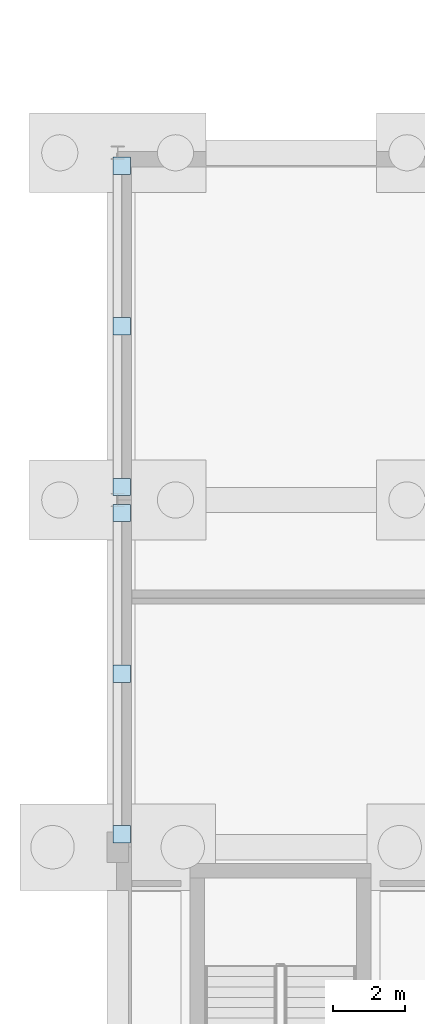
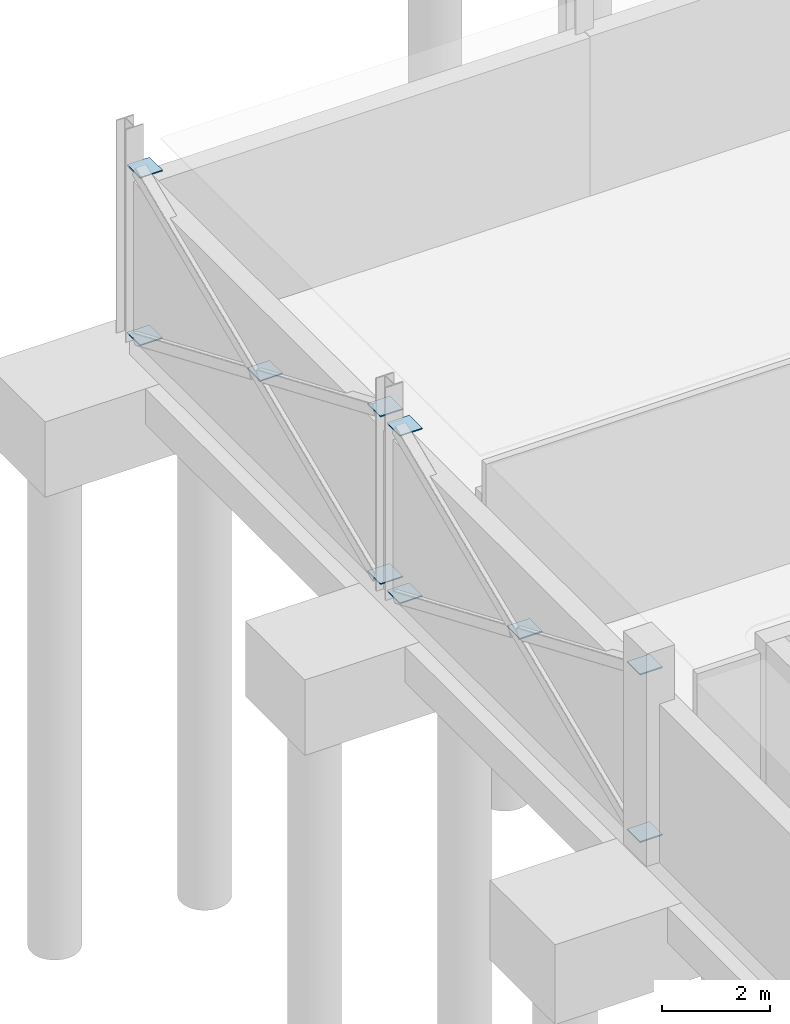
# One storey, part 24 of 67: 10 plates.
"""IFC4 building model written with IfcOpenShell, lengths in metres."""

from ifc_helpers import new_model, si_unit, direction, frame, origin, origin_2d, place, context, subcontext, project, spatial, rectangle, extrude, material, layer, layer_set, type_object, element, save


model = new_model("IFC4")

# Units and contexts
model_context = context("Model", 3, precision=1e-05, world=origin(), true_north=direction((0.0, 1.0)))
body_context = subcontext(model_context, "Body", "Model", "MODEL_VIEW")
ifc_project = project(units=[si_unit("LENGTHUNIT", "METRE"), si_unit("AREAUNIT", "SQUARE_METRE"), si_unit("VOLUMEUNIT", "CUBIC_METRE"), si_unit("PLANEANGLEUNIT", "RADIAN"), si_unit("MASSUNIT", "GRAM", prefix="KILO")], contexts=[model_context])

# Site, building, storey
site_placement = place(None, origin())
site = spatial("IfcSite", under=ifc_project, at=site_placement, CompositionType="ELEMENT")
building_placement = place(site_placement, origin())
building = spatial("IfcBuilding", under=site, at=building_placement, Name="Caelomonte Colonnade Arena", CompositionType="ELEMENT")
storey_placement = place(building_placement, frame((0.0, 0.0, -4.800048828125)))
storey = spatial("IfcBuildingStorey", under=building, at=storey_placement, Name="B1", CompositionType="ELEMENT", Elevation=-4.800048828125)

# Plates
ifc_material = material(Name="Steel ASTM A572 Grade 50", Category="steel")
ifc_layer = layer(ifc_material, 0.02490234375)
ifc_layer_set = layer_set([ifc_layer], Name="Steel ASTM A572 Grade 50")
plate_type = type_object("IfcPlateType", Name="STR-PL-PN01", PredefinedType="USERDEFINED", material=ifc_layer_set)
for number, where, z_axis, x_axis, name in (
    (1, (0.114990234375, 72.0, 2.03759765625), (0.0, 0.0, 1.0), (1.0, 0.0, 0.0), "Braced frame BF1 B1 gusset plate X"),
    (2, (0.114990234375, 67.56005859375, 0.147705078125), (0.0, 0.0, 1.0), (1.0, 0.0, 0.0), "Braced frame BF1 B1 gusset plate BL"),
    (3, (0.114990234375, 76.43994140625, 0.147705078125), (0.0, 0.0, 1.0), (1.0, 0.0, 0.0), "Braced frame BF1 B1 gusset plate BR"),
    (4, (0.114990234375, 67.56005859375, 3.927490234375), (0.0, 0.0, 1.0), (1.0, 0.0, 0.0), "Braced frame BF1 B1 gusset plate TL"),
    (5, (0.114990234375, 76.43994140625, 3.927490234375), (0.0, 0.0, 1.0), (1.0, 0.0, 0.0), "Braced frame BF1 B1 gusset plate TR"),
    (6, (0.114990234375, 81.60009765625, 2.03759765625), (0.0, 0.0, 1.0), (1.0, 0.0, 0.0), "Braced frame BF2 B1 gusset plate X"),
    (7, (0.114990234375, 77.159912109375, 0.147705078125), (0.0, 0.0, 1.0), (1.0, 0.0, 0.0), "Braced frame BF2 B1 gusset plate BL"),
    (8, (0.114990234375, 86.0400390625, 0.147705078125), (0.0, 0.0, 1.0), (1.0, 0.0, 0.0), "Braced frame BF2 B1 gusset plate BR"),
    (9, (0.114990234375, 77.159912109375, 3.927490234375), (0.0, 0.0, 1.0), (1.0, 0.0, 0.0), "Braced frame BF2 B1 gusset plate TL"),
    (10, (0.114990234375, 86.0400390625, 3.927490234375), (0.0, 0.0, 1.0), (1.0, 0.0, 0.0), "Braced frame BF2 B1 gusset plate TR"),
):
    element("IfcPlate", number, at=place(storey_placement, frame(where, z_axis=z_axis, x_axis=x_axis)), inside=storey, type_object=plate_type, Name=name, ObjectType="GUSSET PLATE", PredefinedType="USERDEFINED", context=body_context, shape_type="SweptSolid", body=[
        extrude(rectangle(XDim=0.47998046875, YDim=0.47998046875, at=origin_2d()), origin(), (0.0, 0.0, 1.0), 0.02490234375),
    ])

save(model, "model.ifc")
